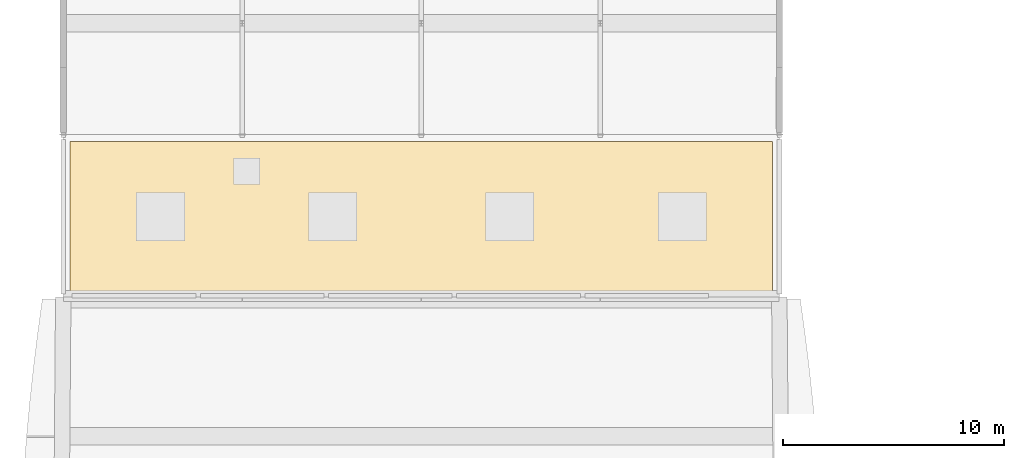
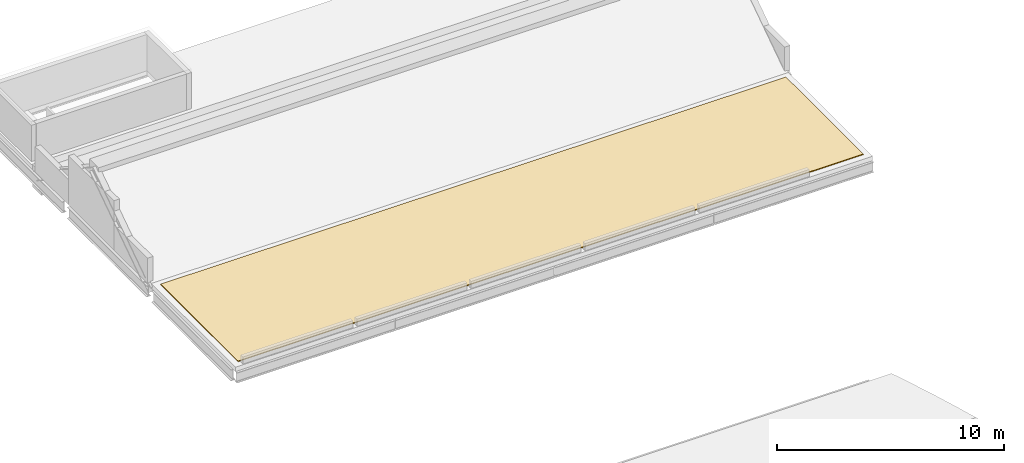
# One storey, part 9 of 9: 1 covering.
"""IFC4 building model written with IfcOpenShell, lengths in metres."""

from ifc_helpers import new_model, si_unit, direction, frame, origin, place, context, subcontext, project, spatial, polyline, outline, extrude, material, layer, layer_set, type_object, element, save


model = new_model("IFC4")

# Units and contexts
model_context = context("Model", 3, precision=1e-05, world=origin(), true_north=direction((0.0, 1.0)))
body_context = subcontext(model_context, "Body", "Model", "MODEL_VIEW")
ifc_project = project(units=[si_unit("LENGTHUNIT", "METRE"), si_unit("AREAUNIT", "SQUARE_METRE"), si_unit("VOLUMEUNIT", "CUBIC_METRE"), si_unit("PLANEANGLEUNIT", "RADIAN"), si_unit("MASSUNIT", "GRAM", prefix="KILO")], contexts=[model_context])

# Site, building, storey
site_placement = place(None, origin())
site = spatial("IfcSite", under=ifc_project, at=site_placement, CompositionType="ELEMENT")
building_placement = place(site_placement, origin())
building = spatial("IfcBuilding", under=site, at=building_placement, Name="Kaelora Sail Theatre", CompositionType="ELEMENT")
storey_placement = place(building_placement, frame((0.0, 0.0, 33.60009765625)))
storey = spatial("IfcBuildingStorey", under=building, at=storey_placement, Name="ROOF", CompositionType="ELEMENT", Elevation=33.60009765625)

# Covering
ifc_material = material(Name="Standing-seam titanium-zinc and TPO membrane", Category="metal")
ifc_layer = layer(ifc_material, 0.044921875)
ifc_layer_set = layer_set([ifc_layer], Name="Standing-seam titanium-zinc and TPO membrane")
covering_type = type_object("IfcCoveringType", Name="ARC-COV-RFM", PredefinedType="ROOFING", material=ifc_layer_set)
covering_placement = place(storey_placement, origin())
element("IfcCovering", 1, at=covering_placement, inside=storey, type_object=covering_type, Name="Standing-seam titanium-zinc roofing FLYC", PredefinedType="ROOFING", context=body_context, shape_type="SweptSolid", body=[
    extrude(outline(polyline([(26.10009765625, 61.3349609375), (57.89990234375, 61.3349609375), (57.89990234375, 68.159912109375), (26.10009765625, 68.159912109375), (26.10009765625, 61.3349609375)])), origin(), (0.0, 0.0, 1.0), 0.044921875),
])

save(model, "model.ifc")
